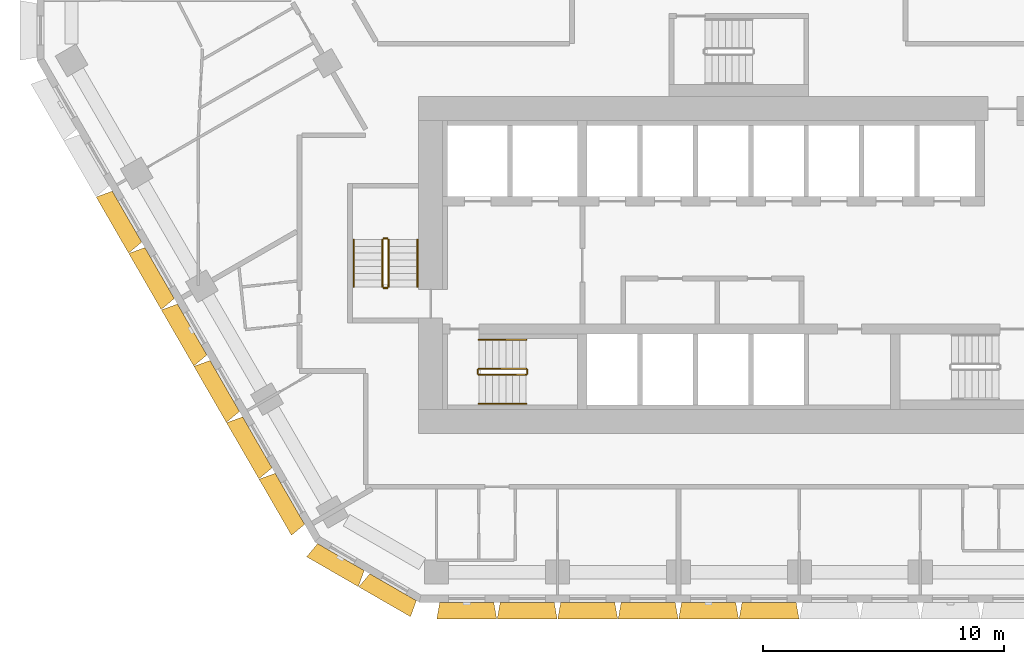
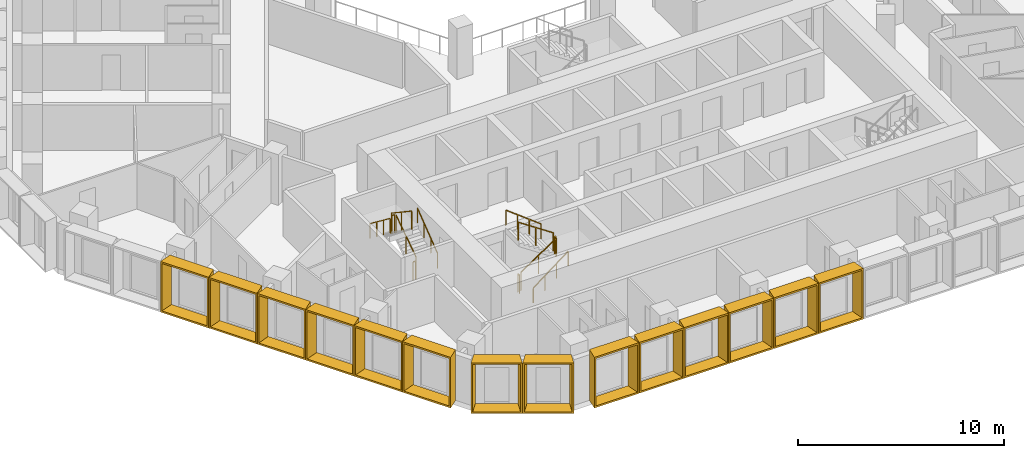
# One storey, part 15 of 18: 14 shading devices, 12 railings.
"""IFC4 building model written with IfcOpenShell, lengths in metres."""

from ifc_helpers import new_model, entity, si_unit, direction, frame, origin, origin_2d, place, context, subcontext, project, spatial, rectangle, extrude, source, transform, mapped, material, type_object, type_shapes, element, save


model = new_model("IFC4")

# Units and contexts
model_context = context("Model", 3, precision=1e-05, world=origin(), true_north=direction((0.0, 1.0)))
body_context = subcontext(model_context, "Body", "Model", "MODEL_VIEW")
ifc_project = project(units=[si_unit("LENGTHUNIT", "METRE"), si_unit("AREAUNIT", "SQUARE_METRE"), si_unit("VOLUMEUNIT", "CUBIC_METRE"), si_unit("PLANEANGLEUNIT", "RADIAN"), si_unit("MASSUNIT", "GRAM", prefix="KILO")], contexts=[model_context])

# Site, building, storey
site_placement = place(None, origin())
site = spatial("IfcSite", under=ifc_project, at=site_placement, CompositionType="ELEMENT")
building_placement = place(site_placement, origin())
building = spatial("IfcBuilding", under=site, at=building_placement, Name="Beryl Residences", CompositionType="ELEMENT")
storey_placement = place(building_placement, frame((0.0, 0.0, 75.0)))
storey = spatial("IfcBuildingStorey", under=building, at=storey_placement, Name="L22", CompositionType="ELEMENT", Elevation=75.0)

# Shading devices
ifc_material_1 = material(Name="Aluminium pale anodised", Category="aluminium")
shading_device_type_1 = type_object("IfcShadingDeviceType", Name="FR250-70A OUTER SKIN frame 700 mm deep, splay 10/10 deg, 2500 x 3000 mm cell", PredefinedType="USERDEFINED", material=ifc_material_1)
cartesian_point_1 = entity("IfcCartesianPoint", [-1.116455078125, 0.0])
cartesian_point_2 = entity("IfcCartesianPoint", [-1.03515625, 0.10009765625])
cartesian_point_3 = entity("IfcCartesianPoint", [-1.239990234375, 0.0])
cartesian_point_4 = entity("IfcCartesianPoint", [-1.15869140625, 0.10009765625])
shared_shape_1 = source(origin(), body_context, "Body", "SweptSolid", [
    entity("IfcExtrudedAreaSolidTapered", entity("IfcArbitraryProfileDefWithVoids", "AREA", None, entity("IfcPolyline", [cartesian_point_1, entity("IfcCartesianPoint", [1.116455078125, 0.0]), entity("IfcCartesianPoint", [1.116455078125, 3.0]), entity("IfcCartesianPoint", [-1.116455078125, 3.0]), cartesian_point_1]), [entity("IfcPolyline", [cartesian_point_2, entity("IfcCartesianPoint", [1.03515625, 0.10009765625]), entity("IfcCartesianPoint", [1.03515625, 2.89990234375]), entity("IfcCartesianPoint", [-1.03515625, 2.89990234375]), cartesian_point_2])]), entity("IfcAxis2Placement3D", entity("IfcCartesianPoint", [0.0, 0.0, 0.0]), entity("IfcDirection", [0.0, 1.0, 0.0]), entity("IfcDirection", [-1.0, 0.0, 0.0])), entity("IfcDirection", [0.0, 0.0, 1.0]), 0.699951171875, entity("IfcArbitraryProfileDefWithVoids", "AREA", None, entity("IfcPolyline", [cartesian_point_3, entity("IfcCartesianPoint", [1.239990234375, 0.0]), entity("IfcCartesianPoint", [1.239990234375, 3.0]), entity("IfcCartesianPoint", [-1.239990234375, 3.0]), cartesian_point_3]), [entity("IfcPolyline", [cartesian_point_4, entity("IfcCartesianPoint", [1.15869140625, 0.10009765625]), entity("IfcCartesianPoint", [1.15869140625, 2.89990234375]), entity("IfcCartesianPoint", [-1.15869140625, 2.89990234375]), cartesian_point_4])])),
])
type_shapes(shading_device_type_1, [shared_shape_1])
for number, where, z_axis, x_axis, name in (
    (1, (-16.527099609375, -24.125, 0.0), (0.0, 0.0, 1.0), (-0.866025403784, 0.5, 0.0), "FR250-70A frame L22 SW-S 1"),
    (2, (-14.361083984375, -25.375, 0.0), (0.0, 0.0, 1.0), (-0.866025403784, 0.5, 0.0), "FR250-70A frame L22 SW-S 2"),
):
    element("IfcShadingDevice", number, at=place(storey_placement, frame(where, z_axis=z_axis, x_axis=x_axis)), inside=storey, type_object=shading_device_type_1, Name=name, ObjectType="OUTER SKIN", PredefinedType="USERDEFINED", context=body_context, shape_type="MappedRepresentation", body=[
        mapped(shared_shape_1, transform((0.0, 0.0, 0.0))),
    ])
ifc_material_2 = material(Name="Aluminium pale anodised", Category="aluminium")
shading_device_type_2 = type_object("IfcShadingDeviceType", Name="FR251-70A OUTER SKIN frame 700 mm deep, splay 10/10 deg, 2510 x 3000 mm cell", PredefinedType="USERDEFINED", material=ifc_material_2)
cartesian_point_5 = entity("IfcCartesianPoint", [-1.12158203125, 0.0])
cartesian_point_6 = entity("IfcCartesianPoint", [-1.040283203125, 0.10009765625])
cartesian_point_7 = entity("IfcCartesianPoint", [-1.244873046875, 0.0])
cartesian_point_8 = entity("IfcCartesianPoint", [-1.16357421875, 0.10009765625])
shared_shape_2 = source(origin(), body_context, "Body", "SweptSolid", [
    entity("IfcExtrudedAreaSolidTapered", entity("IfcArbitraryProfileDefWithVoids", "AREA", None, entity("IfcPolyline", [cartesian_point_5, entity("IfcCartesianPoint", [1.12158203125, 0.0]), entity("IfcCartesianPoint", [1.12158203125, 3.0]), entity("IfcCartesianPoint", [-1.12158203125, 3.0]), cartesian_point_5]), [entity("IfcPolyline", [cartesian_point_6, entity("IfcCartesianPoint", [1.040283203125, 0.10009765625]), entity("IfcCartesianPoint", [1.040283203125, 2.89990234375]), entity("IfcCartesianPoint", [-1.040283203125, 2.89990234375]), cartesian_point_6])]), entity("IfcAxis2Placement3D", entity("IfcCartesianPoint", [0.0, 0.0, 0.0]), entity("IfcDirection", [0.0, 1.0, 0.0]), entity("IfcDirection", [-1.0, 0.0, 0.0])), entity("IfcDirection", [0.0, 0.0, 1.0]), 0.699951171875, entity("IfcArbitraryProfileDefWithVoids", "AREA", None, entity("IfcPolyline", [cartesian_point_7, entity("IfcCartesianPoint", [1.244873046875, 0.0]), entity("IfcCartesianPoint", [1.244873046875, 3.0]), entity("IfcCartesianPoint", [-1.244873046875, 3.0]), cartesian_point_7]), [entity("IfcPolyline", [cartesian_point_8, entity("IfcCartesianPoint", [1.16357421875, 0.10009765625]), entity("IfcCartesianPoint", [1.16357421875, 2.89990234375]), entity("IfcCartesianPoint", [-1.16357421875, 2.89990234375]), cartesian_point_8])])),
])
type_shapes(shading_device_type_2, [shared_shape_2])
for number, where, z_axis, x_axis, name in (
    (3, (-11.301025390625, -26.0, 0.0), (0.0, 0.0, 1.0), (-1.0, 0.0, 0.0), "FR251-70A frame L22 S 1"),
    (4, (-8.7900390625, -26.0, 0.0), (0.0, 0.0, 1.0), (-1.0, 0.0, 0.0), "FR251-70A frame L22 S 2"),
    (5, (-6.278076171875, -26.0, 0.0), (0.0, 0.0, 1.0), (-1.0, 0.0, 0.0), "FR251-70A frame L22 S 3"),
    (6, (-3.76708984375, -26.0, 0.0), (0.0, 0.0, 1.0), (-1.0, 0.0, 0.0), "FR251-70A frame L22 S 4"),
    (7, (-1.2548828125, -26.0, 0.0), (0.0, 0.0, 1.0), (-1.0, 0.0, 0.0), "FR251-70A frame L22 S 5"),
    (8, (1.256103515625, -26.0, 0.0), (0.0, 0.0, 1.0), (-1.0, 0.0, 0.0), "FR251-70A frame L22 S 6"),
):
    element("IfcShadingDevice", number, at=place(storey_placement, frame(where, z_axis=z_axis, x_axis=x_axis)), inside=storey, type_object=shading_device_type_2, Name=name, ObjectType="OUTER SKIN", PredefinedType="USERDEFINED", context=body_context, shape_type="MappedRepresentation", body=[
        mapped(shared_shape_2, transform((0.0, 0.0, 0.0))),
    ])
ifc_material_3 = material(Name="Aluminium pale anodised", Category="aluminium")
shading_device_type_3 = type_object("IfcShadingDeviceType", Name="FR271-70A OUTER SKIN frame 700 mm deep, splay 10/10 deg, 2710 x 3000 mm cell", PredefinedType="USERDEFINED", material=ifc_material_3)
cartesian_point_9 = entity("IfcCartesianPoint", [-1.221435546875, 0.0])
cartesian_point_10 = entity("IfcCartesianPoint", [-1.140380859375, 0.10009765625])
cartesian_point_11 = entity("IfcCartesianPoint", [-1.344970703125, 0.0])
cartesian_point_12 = entity("IfcCartesianPoint", [-1.263671875, 0.10009765625])
shared_shape_3 = source(origin(), body_context, "Body", "SweptSolid", [
    entity("IfcExtrudedAreaSolidTapered", entity("IfcArbitraryProfileDefWithVoids", "AREA", None, entity("IfcPolyline", [cartesian_point_9, entity("IfcCartesianPoint", [1.221435546875, 0.0]), entity("IfcCartesianPoint", [1.221435546875, 3.0]), entity("IfcCartesianPoint", [-1.221435546875, 3.0]), cartesian_point_9]), [entity("IfcPolyline", [cartesian_point_10, entity("IfcCartesianPoint", [1.140380859375, 0.10009765625]), entity("IfcCartesianPoint", [1.140380859375, 2.89990234375]), entity("IfcCartesianPoint", [-1.140380859375, 2.89990234375]), cartesian_point_10])]), entity("IfcAxis2Placement3D", entity("IfcCartesianPoint", [0.0, 0.0, 0.0]), entity("IfcDirection", [0.0, 1.0, 0.0]), entity("IfcDirection", [-1.0, 0.0, 0.0])), entity("IfcDirection", [0.0, 0.0, 1.0]), 0.699951171875, entity("IfcArbitraryProfileDefWithVoids", "AREA", None, entity("IfcPolyline", [cartesian_point_11, entity("IfcCartesianPoint", [1.344970703125, 0.0]), entity("IfcCartesianPoint", [1.344970703125, 3.0]), entity("IfcCartesianPoint", [-1.344970703125, 3.0]), cartesian_point_11]), [entity("IfcPolyline", [cartesian_point_12, entity("IfcCartesianPoint", [1.263671875, 0.10009765625]), entity("IfcCartesianPoint", [1.263671875, 2.89990234375]), entity("IfcCartesianPoint", [-1.263671875, 2.89990234375]), cartesian_point_12])])),
])
type_shapes(shading_device_type_3, [shared_shape_3])
for number, where, z_axis, x_axis, name in (
    (9, (-25.4130859375, -9.98388671875, 0.0), (0.0, 0.0, 1.0), (-0.5, 0.866025403784, 0.0), "FR271-70A frame L22 SW 3"),
    (10, (-24.06005859375, -12.327880859375, 0.0), (0.0, 0.0, 1.0), (-0.5, 0.866025403784, 0.0), "FR271-70A frame L22 SW 4"),
    (11, (-22.7060546875, -14.672119140625, 0.0), (0.0, 0.0, 1.0), (-0.5, 0.866025403784, 0.0), "FR271-70A frame L22 SW 5"),
    (12, (-21.35302734375, -17.01611328125, 0.0), (0.0, 0.0, 1.0), (-0.5, 0.866025403784, 0.0), "FR271-70A frame L22 SW 6"),
    (13, (-20.0, -19.360107421875, 0.0), (0.0, 0.0, 1.0), (-0.5, 0.866025403784, 0.0), "FR271-70A frame L22 SW 7"),
    (14, (-18.64697265625, -21.7041015625, 0.0), (0.0, 0.0, 1.0), (-0.5, 0.866025403784, 0.0), "FR271-70A frame L22 SW 8"),
):
    element("IfcShadingDevice", number, at=place(storey_placement, frame(where, z_axis=z_axis, x_axis=x_axis)), inside=storey, type_object=shading_device_type_3, Name=name, ObjectType="OUTER SKIN", PredefinedType="USERDEFINED", context=body_context, shape_type="MappedRepresentation", body=[
        mapped(shared_shape_3, transform((0.0, 0.0, 0.0))),
    ])

# Railings
ifc_material_4 = material(Name="Stainless steel balustrade with glass infill", Category="steel")
railing_type_1 = type_object("IfcRailingType", Name="SG1 stair guard 1100 mm", PredefinedType="GUARDRAIL", material=ifc_material_4)
railing_1_placement = place(storey_placement, frame((-10.800048828125, -16.550048828125, 0.1875)))
element("IfcRailing", 15, at=railing_1_placement, inside=storey, type_object=railing_type_1, Name="L22 ST-1 stair guard 1", PredefinedType="GUARDRAIL", context=body_context, shape_type="SweptSolid", body=[
    extrude(rectangle(XDim=0.048095703125, YDim=0.048095703125, at=origin_2d()), frame((0.0, 0.0, 1.076171875), z_axis=(0.830902050051, 0.0, 0.556418712142), x_axis=(0.0, 1.0, 0.0)), (0.0, 0.0, 1.0), 2.35888671875),
    extrude(rectangle(XDim=0.0419921875, YDim=0.0419921875, at=origin_2d()), origin(), (0.0, 0.0, 1.0), 1.052001953125),
    extrude(rectangle(XDim=0.0419921875, YDim=0.0419921875, at=origin_2d()), frame((0.97998046875, 0.0, 0.65625)), (0.0, 0.0, 1.0), 1.052001953125),
    extrude(rectangle(XDim=0.0419921875, YDim=0.0419921875, at=origin_2d()), frame((1.9599609375, 0.0, 1.3125)), (0.0, 0.0, 1.0), 1.052001953125),
])
railing_2_placement = place(storey_placement, frame((-8.7900390625, -16.5, 1.5)))
element("IfcRailing", 16, at=railing_2_placement, inside=storey, type_object=railing_type_1, Name="L22 ST-1 stair guard 2", PredefinedType="GUARDRAIL", context=body_context, shape_type="SweptSolid", body=[
    extrude(rectangle(XDim=0.048095703125, YDim=0.048095703125, at=origin_2d()), frame((0.0, 0.0, 1.076171875), z_axis=(0.0, 1.0, 0.0), x_axis=(-1.0, 0.0, 0.0)), (0.0, 0.0, 1.0), 0.14990234375),
    extrude(rectangle(XDim=0.0419921875, YDim=0.0419921875, at=origin_2d()), origin(), (0.0, 0.0, 1.0), 1.052001953125),
    extrude(rectangle(XDim=0.0419921875, YDim=0.0419921875, at=origin_2d()), frame((0.0, 0.14990234375, 0.0)), (0.0, 0.0, 1.0), 1.052001953125),
])
railing_3_placement = place(storey_placement, frame((-8.840087890625, -16.300048828125, 1.6875)))
element("IfcRailing", 17, at=railing_3_placement, inside=storey, type_object=railing_type_1, Name="L22 ST-1 stair guard 3", PredefinedType="GUARDRAIL", context=body_context, shape_type="SweptSolid", body=[
    extrude(rectangle(XDim=0.048095703125, YDim=0.048095703125, at=origin_2d()), frame((0.0, 0.0, 1.076171875), z_axis=(-0.830902050051, 0.0, 0.556418712142), x_axis=(0.0, -1.0, 0.0)), (0.0, 0.0, 1.0), 2.35888671875),
    extrude(rectangle(XDim=0.0419921875, YDim=0.0419921875, at=origin_2d()), origin(), (0.0, 0.0, 1.0), 1.052001953125),
    extrude(rectangle(XDim=0.0419921875, YDim=0.0419921875, at=origin_2d()), frame((-0.97998046875, 0.0, 0.65625)), (0.0, 0.0, 1.0), 1.052001953125),
    extrude(rectangle(XDim=0.0419921875, YDim=0.0419921875, at=origin_2d()), frame((-1.9599609375, 0.0, 1.3125)), (0.0, 0.0, 1.0), 1.052001953125),
])
railing_4_placement = place(storey_placement, frame((-10.85009765625, -16.5, 0.0)))
element("IfcRailing", 18, at=railing_4_placement, inside=storey, type_object=railing_type_1, Name="L22 ST-1 stair guard 4", PredefinedType="GUARDRAIL", context=body_context, shape_type="SweptSolid", body=[
    extrude(rectangle(XDim=0.048095703125, YDim=0.048095703125, at=origin_2d()), frame((0.0, 0.0, 1.076171875), z_axis=(0.0, 1.0, 0.0), x_axis=(-1.0, 0.0, 0.0)), (0.0, 0.0, 1.0), 0.14990234375),
    extrude(rectangle(XDim=0.0419921875, YDim=0.0419921875, at=origin_2d()), origin(), (0.0, 0.0, 1.0), 1.052001953125),
    extrude(rectangle(XDim=0.0419921875, YDim=0.0419921875, at=origin_2d()), frame((0.0, 0.14990234375, 0.0)), (0.0, 0.0, 1.0), 1.052001953125),
])
railing_5_placement = place(storey_placement, frame((-14.550048828125, -12.89990234375, 0.1875)))
element("IfcRailing", 19, at=railing_5_placement, inside=storey, type_object=railing_type_1, Name="L22 ST-2 stair guard 1", PredefinedType="GUARDRAIL", context=body_context, shape_type="SweptSolid", body=[
    extrude(rectangle(XDim=0.048095703125, YDim=0.048095703125, at=origin_2d()), frame((0.0, 0.0, 1.076171875), z_axis=(0.0, 0.830902050051, 0.556418712142), x_axis=(-1.0, 0.0, 0.0)), (0.0, 0.0, 1.0), 2.35888671875),
    extrude(rectangle(XDim=0.0419921875, YDim=0.0419921875, at=origin_2d()), origin(), (0.0, 0.0, 1.0), 1.052001953125),
    extrude(rectangle(XDim=0.0419921875, YDim=0.0419921875, at=origin_2d()), frame((0.0, 0.97998046875, 0.65625)), (0.0, 0.0, 1.0), 1.052001953125),
    extrude(rectangle(XDim=0.0419921875, YDim=0.0419921875, at=origin_2d()), frame((0.0, 1.9599609375, 1.3125)), (0.0, 0.0, 1.0), 1.052001953125),
])
railing_6_placement = place(storey_placement, frame((-14.60009765625, -10.889892578125, 1.5)))
element("IfcRailing", 20, at=railing_6_placement, inside=storey, type_object=railing_type_1, Name="L22 ST-2 stair guard 2", PredefinedType="GUARDRAIL", context=body_context, shape_type="SweptSolid", body=[
    extrude(rectangle(XDim=0.048095703125, YDim=0.048095703125, at=origin_2d()), frame((0.0, 0.0, 1.076171875), z_axis=(-1.0, 0.0, 0.0), x_axis=(0.0, -1.0, 0.0)), (0.0, 0.0, 1.0), 0.14990234375),
    extrude(rectangle(XDim=0.0419921875, YDim=0.0419921875, at=origin_2d()), origin(), (0.0, 0.0, 1.0), 1.052001953125),
    extrude(rectangle(XDim=0.0419921875, YDim=0.0419921875, at=origin_2d()), frame((-0.14990234375, 0.0, 0.0)), (0.0, 0.0, 1.0), 1.052001953125),
])
railing_7_placement = place(storey_placement, frame((-14.800048828125, -10.93994140625, 1.6875)))
element("IfcRailing", 21, at=railing_7_placement, inside=storey, type_object=railing_type_1, Name="L22 ST-2 stair guard 3", PredefinedType="GUARDRAIL", context=body_context, shape_type="SweptSolid", body=[
    extrude(rectangle(XDim=0.048095703125, YDim=0.048095703125, at=origin_2d()), frame((0.0, 0.0, 1.076171875), z_axis=(0.0, -0.830902050051, 0.556418712142), x_axis=(1.0, 0.0, 0.0)), (0.0, 0.0, 1.0), 2.35888671875),
    extrude(rectangle(XDim=0.0419921875, YDim=0.0419921875, at=origin_2d()), origin(), (0.0, 0.0, 1.0), 1.052001953125),
    extrude(rectangle(XDim=0.0419921875, YDim=0.0419921875, at=origin_2d()), frame((0.0, -0.97998046875, 0.65625)), (0.0, 0.0, 1.0), 1.052001953125),
    extrude(rectangle(XDim=0.0419921875, YDim=0.0419921875, at=origin_2d()), frame((0.0, -1.9599609375, 1.3125)), (0.0, 0.0, 1.0), 1.052001953125),
])
railing_8_placement = place(storey_placement, frame((-14.60009765625, -12.949951171875, 0.0)))
element("IfcRailing", 22, at=railing_8_placement, inside=storey, type_object=railing_type_1, Name="L22 ST-2 stair guard 4", PredefinedType="GUARDRAIL", context=body_context, shape_type="SweptSolid", body=[
    extrude(rectangle(XDim=0.048095703125, YDim=0.048095703125, at=origin_2d()), frame((0.0, 0.0, 1.076171875), z_axis=(-1.0, 0.0, 0.0), x_axis=(0.0, -1.0, 0.0)), (0.0, 0.0, 1.0), 0.14990234375),
    extrude(rectangle(XDim=0.0419921875, YDim=0.0419921875, at=origin_2d()), origin(), (0.0, 0.0, 1.0), 1.052001953125),
    extrude(rectangle(XDim=0.0419921875, YDim=0.0419921875, at=origin_2d()), frame((-0.14990234375, 0.0, 0.0)), (0.0, 0.0, 1.0), 1.052001953125),
])
ifc_material_5 = material(Name="Stainless steel handrail", Category="steel")
railing_type_2 = type_object("IfcRailingType", Name="SRL1 stair handrail 900 mm", PredefinedType="HANDRAIL", material=ifc_material_5)
railing_9_placement = place(storey_placement, frame((-10.800048828125, -17.75, 0.1875)))
element("IfcRailing", 23, at=railing_9_placement, inside=storey, type_object=railing_type_2, Name="L22 ST-1 stair handrail 1", PredefinedType="HANDRAIL", context=body_context, shape_type="SweptSolid", body=[
    extrude(rectangle(XDim=0.048095703125, YDim=0.048095703125, at=origin_2d()), frame((0.0, 0.0, 0.8759765625), z_axis=(0.794121922505, 0.0, 0.607758481798), x_axis=(0.0, 1.0, 0.0)), (0.0, 0.0, 1.0), 2.468017578125),
    extrude(rectangle(XDim=0.0419921875, YDim=0.0419921875, at=origin_2d()), origin(), (0.0, 0.0, 1.0), 0.851806640625),
    extrude(rectangle(XDim=0.0419921875, YDim=0.0419921875, at=origin_2d()), frame((0.6533203125, 0.0, 0.5)), (0.0, 0.0, 1.0), 0.851806640625),
    extrude(rectangle(XDim=0.0419921875, YDim=0.0419921875, at=origin_2d()), frame((1.306640625, 0.0, 1.0)), (0.0, 0.0, 1.0), 0.851806640625),
    extrude(rectangle(XDim=0.0419921875, YDim=0.0419921875, at=origin_2d()), frame((1.9599609375, 0.0, 1.5)), (0.0, 0.0, 1.0), 0.851806640625),
])
railing_10_placement = place(storey_placement, frame((-8.840087890625, -15.10009765625, 1.6875)))
element("IfcRailing", 24, at=railing_10_placement, inside=storey, type_object=railing_type_2, Name="L22 ST-1 stair handrail 2", PredefinedType="HANDRAIL", context=body_context, shape_type="SweptSolid", body=[
    extrude(rectangle(XDim=0.048095703125, YDim=0.048095703125, at=origin_2d()), frame((0.0, 0.0, 0.8759765625), z_axis=(-0.794121922505, 0.0, 0.607758481798), x_axis=(0.0, -1.0, 0.0)), (0.0, 0.0, 1.0), 2.468017578125),
    extrude(rectangle(XDim=0.0419921875, YDim=0.0419921875, at=origin_2d()), origin(), (0.0, 0.0, 1.0), 0.851806640625),
    extrude(rectangle(XDim=0.0419921875, YDim=0.0419921875, at=origin_2d()), frame((-0.6533203125, 0.0, 0.5)), (0.0, 0.0, 1.0), 0.851806640625),
    extrude(rectangle(XDim=0.0419921875, YDim=0.0419921875, at=origin_2d()), frame((-1.306640625, 0.0, 1.0)), (0.0, 0.0, 1.0), 0.851806640625),
    extrude(rectangle(XDim=0.0419921875, YDim=0.0419921875, at=origin_2d()), frame((-1.9599609375, 0.0, 1.5)), (0.0, 0.0, 1.0), 0.851806640625),
])
railing_11_placement = place(storey_placement, frame((-13.35009765625, -12.89990234375, 0.1875)))
element("IfcRailing", 25, at=railing_11_placement, inside=storey, type_object=railing_type_2, Name="L22 ST-2 stair handrail 1", PredefinedType="HANDRAIL", context=body_context, shape_type="SweptSolid", body=[
    extrude(rectangle(XDim=0.048095703125, YDim=0.048095703125, at=origin_2d()), frame((0.0, 0.0, 0.8759765625), z_axis=(0.0, 0.794121922505, 0.607758481798), x_axis=(-1.0, 0.0, 0.0)), (0.0, 0.0, 1.0), 2.468017578125),
    extrude(rectangle(XDim=0.0419921875, YDim=0.0419921875, at=origin_2d()), origin(), (0.0, 0.0, 1.0), 0.851806640625),
    extrude(rectangle(XDim=0.0419921875, YDim=0.0419921875, at=origin_2d()), frame((0.0, 0.6533203125, 0.5)), (0.0, 0.0, 1.0), 0.851806640625),
    extrude(rectangle(XDim=0.0419921875, YDim=0.0419921875, at=origin_2d()), frame((0.0, 1.306640625, 1.0)), (0.0, 0.0, 1.0), 0.851806640625),
    extrude(rectangle(XDim=0.0419921875, YDim=0.0419921875, at=origin_2d()), frame((0.0, 1.9599609375, 1.5)), (0.0, 0.0, 1.0), 0.851806640625),
])
railing_12_placement = place(storey_placement, frame((-16.0, -10.93994140625, 1.6875)))
element("IfcRailing", 26, at=railing_12_placement, inside=storey, type_object=railing_type_2, Name="L22 ST-2 stair handrail 2", PredefinedType="HANDRAIL", context=body_context, shape_type="SweptSolid", body=[
    extrude(rectangle(XDim=0.048095703125, YDim=0.048095703125, at=origin_2d()), frame((0.0, 0.0, 0.8759765625), z_axis=(0.0, -0.794121922505, 0.607758481798), x_axis=(1.0, 0.0, 0.0)), (0.0, 0.0, 1.0), 2.468017578125),
    extrude(rectangle(XDim=0.0419921875, YDim=0.0419921875, at=origin_2d()), origin(), (0.0, 0.0, 1.0), 0.851806640625),
    extrude(rectangle(XDim=0.0419921875, YDim=0.0419921875, at=origin_2d()), frame((0.0, -0.6533203125, 0.5)), (0.0, 0.0, 1.0), 0.851806640625),
    extrude(rectangle(XDim=0.0419921875, YDim=0.0419921875, at=origin_2d()), frame((0.0, -1.306640625, 1.0)), (0.0, 0.0, 1.0), 0.851806640625),
    extrude(rectangle(XDim=0.0419921875, YDim=0.0419921875, at=origin_2d()), frame((0.0, -1.9599609375, 1.5)), (0.0, 0.0, 1.0), 0.851806640625),
])

save(model, "model.ifc")
